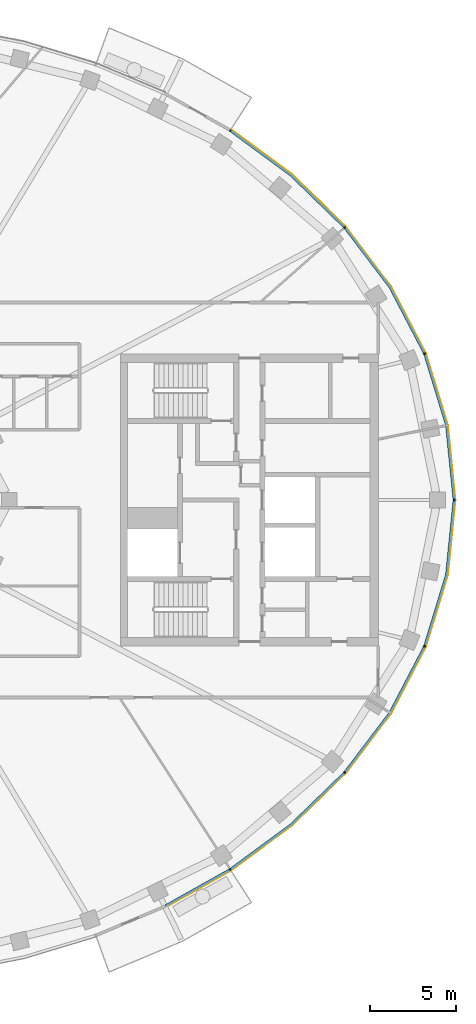
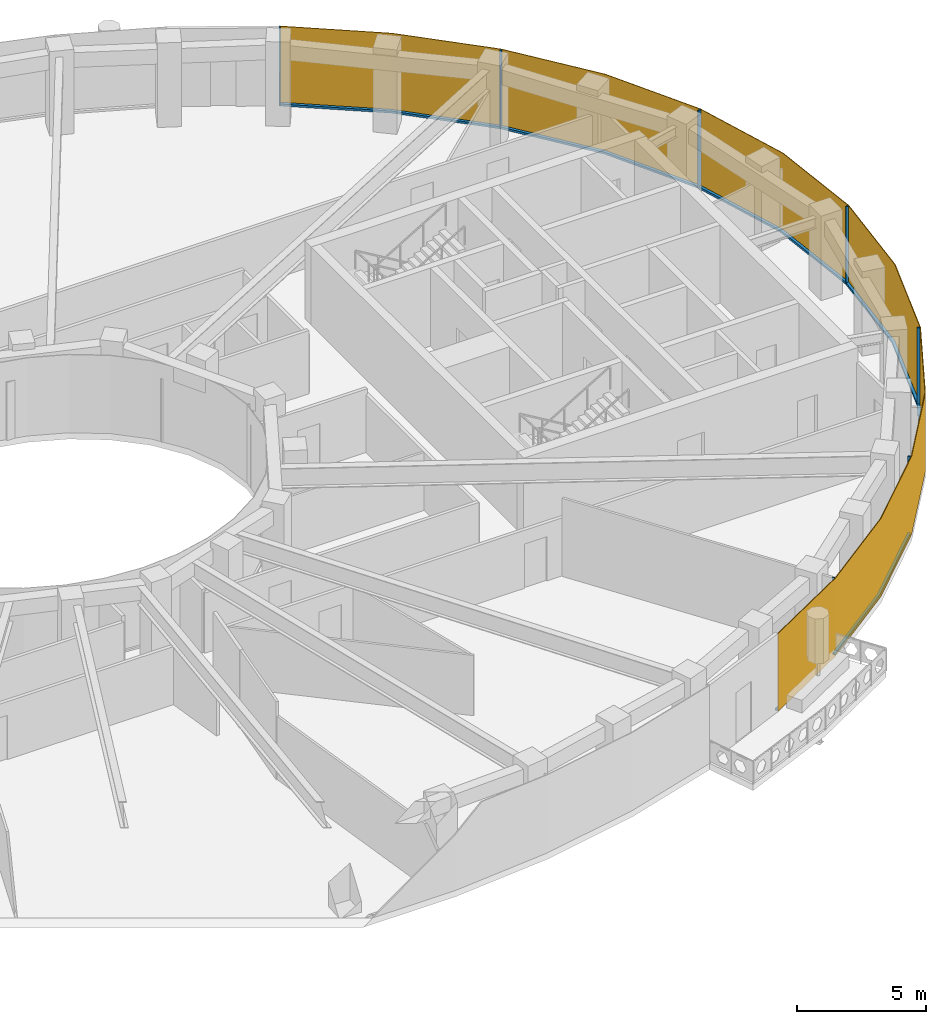
# One storey, part 11 of 15: 14 members, 1 curtain wall.
"""IFC4 building model written with IfcOpenShell, lengths in metres."""

from ifc_helpers import new_model, si_unit, direction, frame, origin, origin_2d, place, context, subcontext, project, spatial, polyline, rectangle, outline, extrude, material, layer, layer_set, material_profile, profile_set, type_object, element, aggregate, save


model = new_model("IFC4")

# Units and contexts
model_context = context("Model", 3, precision=1e-05, world=origin(), true_north=direction((0.0, 1.0)))
body_context = subcontext(model_context, "Body", "Model", "MODEL_VIEW")
ifc_project = project(units=[si_unit("LENGTHUNIT", "METRE"), si_unit("AREAUNIT", "SQUARE_METRE"), si_unit("VOLUMEUNIT", "CUBIC_METRE"), si_unit("PLANEANGLEUNIT", "RADIAN"), si_unit("MASSUNIT", "GRAM", prefix="KILO")], contexts=[model_context])

# Member
ifc_material_1 = material(Name="Aluminium 6063-T6 black anodised", Category="aluminium")
ifc_material_profile = material_profile(ifc_material_1, rectangle(XDim=0.1201171875, YDim=0.06005859375, at=origin_2d()), Name="120x60")
ifc_profile_set = profile_set([ifc_material_profile], Name="Aluminium 6063-T6 black anodised")
member_type_1 = type_object("IfcMemberType", Name="ENV-MULLION-A-120", PredefinedType="MULLION", material=ifc_profile_set)
site_placement = place(None, origin())
building_placement = place(site_placement, origin())
storey_placement = place(building_placement, frame((0.0, 0.0, 295.0)))
member_1_placement = place(storey_placement, frame((22.882568359375, -21.506591796875, 0.0), z_axis=(0.0, 0.0, 1.0), x_axis=(-0.542279153225, 0.840198381323, 0.0)))
member_1 = element("IfcMember", 1, at=member_1_placement, type_object=member_type_1, Name="Mullion A radial 41", PredefinedType="MULLION", context=body_context, shape_type="SweptSolid", body=[
    extrude(rectangle(XDim=0.1201171875, YDim=0.06005859375, at=origin_2d()), origin(), (0.0, 0.0, 1.0), 3.699951171875),
])

member_2_placement = place(storey_placement, frame((29.53857421875, -15.8671875, 0.0), z_axis=(0.0, 0.0, 1.0), x_axis=(-0.749047221705, 0.662516610853, 0.0)))
member_2 = element("IfcMember", 2, at=member_2_placement, type_object=member_type_1, Name="Mullion A radial 43", PredefinedType="MULLION", context=body_context, shape_type="SweptSolid", body=[
    extrude(rectangle(XDim=0.1201171875, YDim=0.06005859375, at=origin_2d()), origin(), (0.0, 0.0, 1.0), 3.699951171875),
])

member_3_placement = place(storey_placement, frame((34.19580078125, -8.513916015625, 0.0), z_axis=(0.0, 0.0, 1.0), x_axis=(-0.92546738067, 0.378827305398, 0.0)))
member_3 = element("IfcMember", 3, at=member_3_placement, type_object=member_type_1, Name="Mullion A radial 45", PredefinedType="MULLION", context=body_context, shape_type="SweptSolid", body=[
    extrude(rectangle(XDim=0.1201171875, YDim=0.06005859375, at=origin_2d()), origin(), (0.0, 0.0, 1.0), 3.699951171875),
])

member_4_placement = place(storey_placement, frame((35.907958984375, 0.0, 0.0), z_axis=(0.0, 0.0, 1.0), x_axis=(-1.0, 0.0, 0.0)))
member_4 = element("IfcMember", 4, at=member_4_placement, type_object=member_type_1, Name="Mullion A radial 01", PredefinedType="MULLION", context=body_context, shape_type="SweptSolid", body=[
    extrude(rectangle(XDim=0.1201171875, YDim=0.06005859375, at=origin_2d()), origin(), (0.0, 0.0, 1.0), 3.699951171875),
])

member_5_placement = place(storey_placement, frame((34.19580078125, 8.513916015625, 0.0), z_axis=(0.0, 0.0, 1.0), x_axis=(-0.92546738067, -0.378827305398, 0.0)))
member_5 = element("IfcMember", 5, at=member_5_placement, type_object=member_type_1, Name="Mullion A radial 03", PredefinedType="MULLION", context=body_context, shape_type="SweptSolid", body=[
    extrude(rectangle(XDim=0.1201171875, YDim=0.06005859375, at=origin_2d()), origin(), (0.0, 0.0, 1.0), 3.699951171875),
])

member_6_placement = place(storey_placement, frame((29.53857421875, 15.8671875, 0.0), z_axis=(0.0, 0.0, 1.0), x_axis=(-0.749047221705, -0.662516610853, 0.0)))
member_6 = element("IfcMember", 6, at=member_6_placement, type_object=member_type_1, Name="Mullion A radial 05", PredefinedType="MULLION", context=body_context, shape_type="SweptSolid", body=[
    extrude(rectangle(XDim=0.1201171875, YDim=0.06005859375, at=origin_2d()), origin(), (0.0, 0.0, 1.0), 3.699951171875),
])

member_7_placement = place(storey_placement, frame((22.882568359375, 21.506591796875, 0.0), z_axis=(0.0, 0.0, 1.0), x_axis=(-0.542279153225, -0.840198381323, 0.0)))
member_7 = element("IfcMember", 7, at=member_7_placement, type_object=member_type_1, Name="Mullion A radial 07", PredefinedType="MULLION", context=body_context, shape_type="SweptSolid", body=[
    extrude(rectangle(XDim=0.1201171875, YDim=0.06005859375, at=origin_2d()), origin(), (0.0, 0.0, 1.0), 3.699951171875),
])

ifc_material_2 = material(Name="Aluminium 6063-T6 black anodised", Category="aluminium")
member_type_2 = type_object("IfcMemberType", Name="ENV-TRANSOM-A", PredefinedType="USERDEFINED", material=ifc_material_2)
member_8_placement = place(storey_placement, origin())
member_8 = element("IfcMember", 8, at=member_8_placement, type_object=member_type_2, Name="Transom A radial 40-41", ObjectType="TRANSOM", PredefinedType="USERDEFINED", context=body_context, shape_type="SweptSolid", body=[
    extrude(outline(polyline([(19.111572265625, -23.691650390625), (22.890625, -21.570556640625), (22.825439453125, -21.469482421875), (19.058837890625, -23.58349609375), (19.111572265625, -23.691650390625)])), origin(), (0.0, 0.0, 1.0), 0.10009765625),
])

member_9_placement = place(storey_placement, origin())
member_9 = element("IfcMember", 9, at=member_9_placement, type_object=member_type_2, Name="Transom A radial 41-43", ObjectType="TRANSOM", PredefinedType="USERDEFINED", context=body_context, shape_type="SweptSolid", body=[
    extrude(outline(polyline([(22.937744140625, -21.540283203125), (26.4423828125, -18.958740234375), (29.5634765625, -15.926513671875), (29.473388671875, -15.8466796875), (26.364501953125, -18.866943359375), (22.87255859375, -21.439208984375), (22.937744140625, -21.540283203125)])), origin(), (0.0, 0.0, 1.0), 0.10009765625),
])

member_10_placement = place(storey_placement, origin())
member_10 = element("IfcMember", 10, at=member_10_placement, type_object=member_type_2, Name="Transom A radial 43-45", ObjectType="TRANSOM", PredefinedType="USERDEFINED", context=body_context, shape_type="SweptSolid", body=[
    extrude(outline(polyline([(29.6005859375, -15.884521484375), (32.22802734375, -12.41748046875), (34.23828125, -8.5615234375), (34.126708984375, -8.515869140625), (32.126220703125, -12.35302734375), (29.51025390625, -15.8046875), (29.6005859375, -15.884521484375)])), origin(), (0.0, 0.0, 1.0), 0.10009765625),
])

member_11_placement = place(storey_placement, origin())
member_11 = element("IfcMember", 11, at=member_11_placement, type_object=member_type_2, Name="Transom A radial 45-01", ObjectType="TRANSOM", PredefinedType="USERDEFINED", context=body_context, shape_type="SweptSolid", body=[
    extrude(outline(polyline([(34.259521484375, -8.509765625), (35.529541015625, -4.352294921875), (35.965087890625, -0.02783203125), (35.844482421875, -0.02783203125), (35.411376953125, -4.32861328125), (34.14794921875, -8.464111328125), (34.259521484375, -8.509765625)])), origin(), (0.0, 0.0, 1.0), 0.10009765625),
])

member_12_placement = place(storey_placement, origin())
member_12 = element("IfcMember", 12, at=member_12_placement, type_object=member_type_2, Name="Transom A radial 01-03", ObjectType="TRANSOM", PredefinedType="USERDEFINED", context=body_context, shape_type="SweptSolid", body=[
    extrude(outline(polyline([(35.965087890625, 0.02783203125), (35.529541015625, 4.352294921875), (34.259521484375, 8.509765625), (34.14794921875, 8.464111328125), (35.411376953125, 4.32861328125), (35.844482421875, 0.02783203125), (35.965087890625, 0.02783203125)])), origin(), (0.0, 0.0, 1.0), 0.10009765625),
])

member_13_placement = place(storey_placement, origin())
member_13 = element("IfcMember", 13, at=member_13_placement, type_object=member_type_2, Name="Transom A radial 03-05", ObjectType="TRANSOM", PredefinedType="USERDEFINED", context=body_context, shape_type="SweptSolid", body=[
    extrude(outline(polyline([(34.23828125, 8.5615234375), (32.22802734375, 12.41748046875), (29.6005859375, 15.884521484375), (29.51025390625, 15.8046875), (32.126220703125, 12.35302734375), (34.126708984375, 8.515869140625), (34.23828125, 8.5615234375)])), origin(), (0.0, 0.0, 1.0), 0.10009765625),
])

member_14_placement = place(storey_placement, origin())
member_14 = element("IfcMember", 14, at=member_14_placement, type_object=member_type_2, Name="Transom A radial 05-07", ObjectType="TRANSOM", PredefinedType="USERDEFINED", context=body_context, shape_type="SweptSolid", body=[
    extrude(outline(polyline([(29.5634765625, 15.926513671875), (26.4423828125, 18.958740234375), (22.937744140625, 21.540283203125), (22.87255859375, 21.439208984375), (26.364501953125, 18.866943359375), (29.473388671875, 15.8466796875), (29.5634765625, 15.926513671875)])), origin(), (0.0, 0.0, 1.0), 0.10009765625),
])

# Site, building, storey
site = spatial("IfcSite", under=ifc_project, at=site_placement, CompositionType="ELEMENT")
building = spatial("IfcBuilding", under=site, at=building_placement, Name="Noorbagh Ring Tower", CompositionType="ELEMENT")
storey = spatial("IfcBuildingStorey", under=building, at=storey_placement, Name="L63", CompositionType="ELEMENT", Elevation=295.0)

# Curtain wall
ifc_material_3 = material(Name="Glass dark tinted laminated", Category="glass")
ifc_layer = layer(ifc_material_3, 0.031982421875)
ifc_layer_set = layer_set([ifc_layer], Name="Glass dark tinted laminated")
curtain_wall_type = type_object("IfcCurtainWallType", Name="ENV-CW-A", PredefinedType="NOTDEFINED", material=ifc_layer_set)
curtain_wall_placement = place(storey_placement, origin())
curtain_wall = element("IfcCurtainWall", 15, at=curtain_wall_placement, inside=storey, type_object=curtain_wall_type, Name="Curtain wall A R40", PredefinedType="NOTDEFINED", context=body_context, shape_type="SweptSolid", body=[
    extrude(outline(polyline([(19.125732421875, -23.720458984375), (22.9326171875, -21.583740234375), (26.463134765625, -18.9833984375), (29.607666015625, -15.927978515625), (32.255126953125, -12.434814453125), (34.281005859375, -8.548828125), (35.561279296875, -4.358642578125), (36.0, 0.0), (35.561279296875, 4.358642578125), (34.281005859375, 8.548828125), (32.255126953125, 12.434814453125), (29.607666015625, 15.927978515625), (26.463134765625, 18.9833984375), (22.948486328125, 21.572021484375), (22.931396484375, 21.544921875), (26.4423828125, 18.958740234375), (29.58349609375, 15.906982421875), (32.22802734375, 12.41748046875), (34.251220703125, 8.53662109375), (35.529541015625, 4.352294921875), (35.9677734375, 0.0), (35.529541015625, -4.352294921875), (34.251220703125, -8.53662109375), (32.22802734375, -12.41748046875), (29.58349609375, -15.906982421875), (26.4423828125, -18.958740234375), (22.9150390625, -21.556884765625), (19.111572265625, -23.691650390625), (19.125732421875, -23.720458984375)])), origin(), (0.0, 0.0, 1.0), 3.699951171875),
])

aggregate(curtain_wall, [member_1, member_2, member_3, member_4, member_5, member_6, member_7, member_8, member_9, member_10, member_11, member_12, member_13, member_14])

save(model, "model.ifc")
